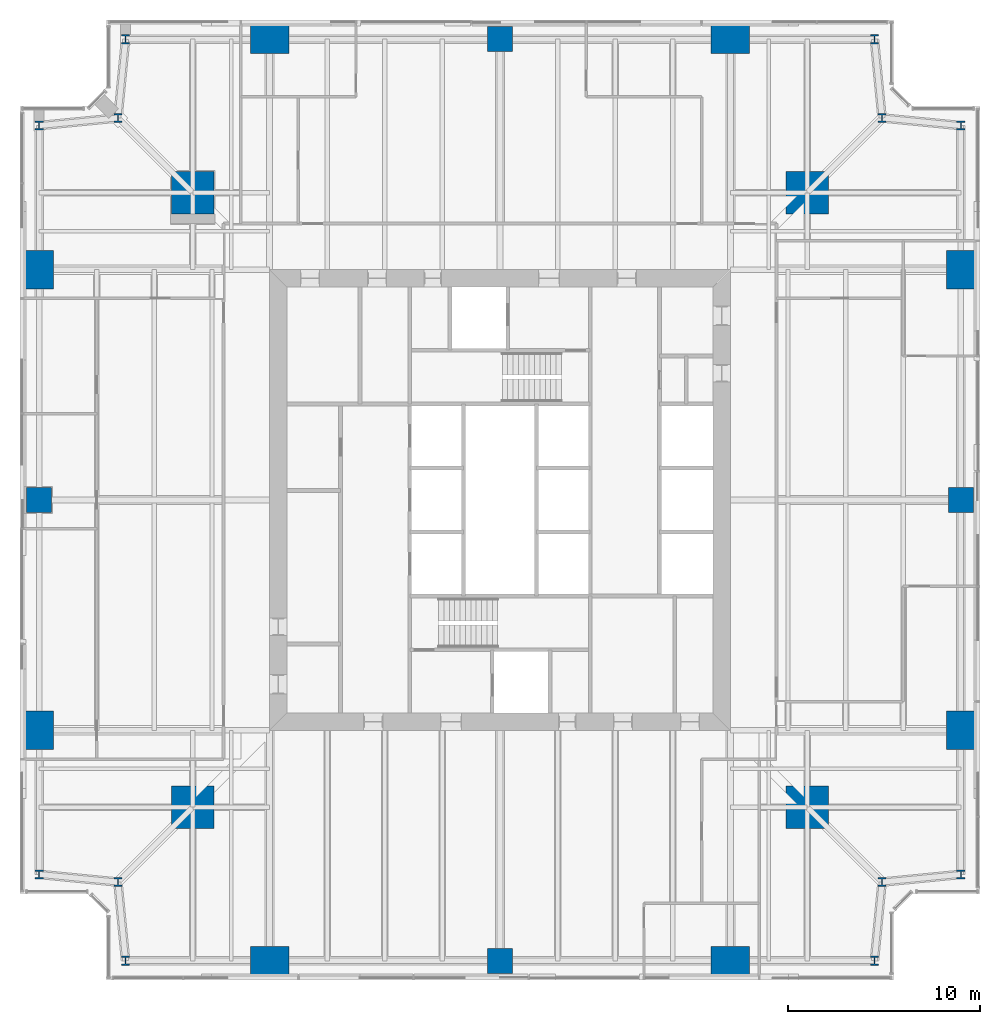
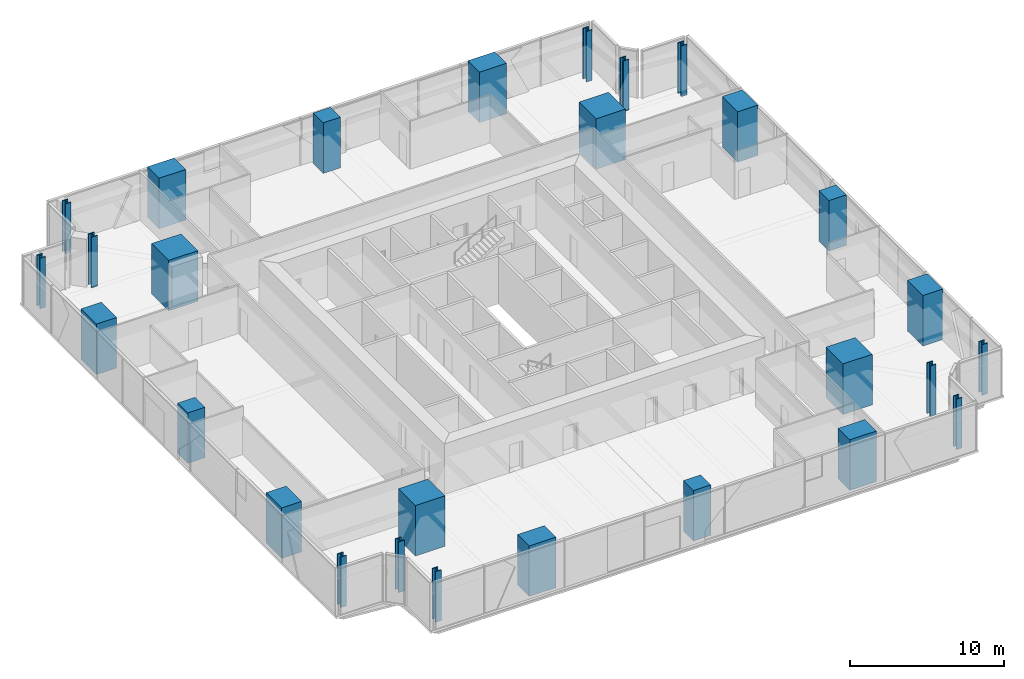
# One storey, part 1 of 13: 28 columns.
"""IFC4 building model written with IfcOpenShell, lengths in metres."""

from ifc_helpers import new_model, si_unit, direction, frame, origin, origin_2d, place, context, subcontext, project, spatial, rectangle, i_section, extrude, material, material_profile, profile_set, type_object, element, save


model = new_model("IFC4")

# Units and contexts
model_context = context("Model", 3, precision=1e-05, world=origin(), true_north=direction((0.0, 1.0)))
body_context = subcontext(model_context, "Body", "Model", "MODEL_VIEW")
ifc_project = project(units=[si_unit("LENGTHUNIT", "METRE"), si_unit("AREAUNIT", "SQUARE_METRE"), si_unit("VOLUMEUNIT", "CUBIC_METRE"), si_unit("PLANEANGLEUNIT", "RADIAN"), si_unit("MASSUNIT", "GRAM", prefix="KILO")], contexts=[model_context])

# Site, building, storey
site_placement = place(None, origin())
site = spatial("IfcSite", under=ifc_project, at=site_placement, CompositionType="ELEMENT")
building_placement = place(site_placement, origin())
building = spatial("IfcBuilding", under=site, at=building_placement, Name="Fenwick Lantern Interchange", CompositionType="ELEMENT")
storey_placement = place(building_placement, frame((0.0, 0.0, 158.39990234375)))
storey = spatial("IfcBuildingStorey", under=building, at=storey_placement, Name="L37", CompositionType="ELEMENT", Elevation=158.39990234375)

# Columns
ifc_material_1 = material(Name="Concrete f'c 70 MPa", Category="concrete")
ifc_material_profile_1 = material_profile(ifc_material_1, rectangle(XDim=2.199951171875, YDim=2.199951171875, at=origin_2d()), Name="RC2200X2200")
ifc_profile_set_1 = profile_set([ifc_material_profile_1], Name="Concrete f'c 70 MPa")
column_type_1 = type_object("IfcColumnType", Name="MEGA COLUMN RC2200X2200", PredefinedType="COLUMN", material=ifc_profile_set_1)
for number, where, z_axis, x_axis, name in (
    (1, (9.0, 9.0, 0.0), (0.0, 0.0, 1.0), (1.0, 0.0, 0.0), "L37/M1"),
    (2, (41.0, 9.0, 0.0), (0.0, 0.0, 1.0), (1.0, 0.0, 0.0), "L37/M2"),
    (3, (41.0, 41.0, 0.0), (0.0, 0.0, 1.0), (1.0, 0.0, 0.0), "L37/M3"),
    (4, (9.0, 41.0, 0.0), (0.0, 0.0, 1.0), (1.0, 0.0, 0.0), "L37/M4"),
):
    element("IfcColumn", number, at=place(storey_placement, frame(where, z_axis=z_axis, x_axis=x_axis)), inside=storey, type_object=column_type_1, Name=name, PredefinedType="COLUMN", context=body_context, shape_type="SweptSolid", body=[
        extrude(rectangle(XDim=2.199951171875, YDim=2.199951171875, at=origin_2d()), origin(), (0.0, 0.0, 1.0), 4.0),
    ])
ifc_material_profile_2 = material_profile(ifc_material_1, rectangle(XDim=1.300048828125, YDim=1.300048828125, at=origin_2d()), Name="RC1300X1300")
ifc_profile_set_2 = profile_set([ifc_material_profile_2], Name="Concrete f'c 70 MPa")
column_type_2 = type_object("IfcColumnType", Name="PERIMETER COLUMN RC1300X1300", PredefinedType="COLUMN", material=ifc_profile_set_2)
for number, where, z_axis, x_axis, name in (
    (5, (25.0, 1.0, 0.0), (0.0, 0.0, 1.0), (1.0, 0.0, 0.0), "L37/CS3"),
    (6, (49.0, 25.0, 0.0), (0.0, 0.0, 1.0), (1.0, 0.0, 0.0), "L37/CE3"),
    (7, (25.0, 49.0, 0.0), (0.0, 0.0, 1.0), (1.0, 0.0, 0.0), "L37/CN3"),
    (8, (1.0, 25.0, 0.0), (0.0, 0.0, 1.0), (1.0, 0.0, 0.0), "L37/CW3"),
):
    element("IfcColumn", number, at=place(storey_placement, frame(where, z_axis=z_axis, x_axis=x_axis)), inside=storey, type_object=column_type_2, Name=name, PredefinedType="COLUMN", context=body_context, shape_type="SweptSolid", body=[
        extrude(rectangle(XDim=1.300048828125, YDim=1.300048828125, at=origin_2d()), origin(), (0.0, 0.0, 1.0), 4.0),
    ])
ifc_material_profile_3 = material_profile(ifc_material_1, rectangle(XDim=1.5, YDim=2.0, at=origin_2d()), Name="RC1500X2000")
ifc_profile_set_3 = profile_set([ifc_material_profile_3], Name="Concrete f'c 70 MPa")
column_type_3 = type_object("IfcColumnType", Name="PERIMETER COLUMN RC1500X2000", PredefinedType="COLUMN", material=ifc_profile_set_3)
for number, where, z_axis, x_axis, name in (
    (9, (49.0, 13.0, 0.0), (0.0, 0.0, 1.0), (1.0, 0.0, 0.0), "L37/CE2"),
    (10, (49.0, 37.0, 0.0), (0.0, 0.0, 1.0), (1.0, 0.0, 0.0), "L37/CE4"),
    (11, (1.0, 37.0, 0.0), (0.0, 0.0, 1.0), (1.0, 0.0, 0.0), "L37/CW2"),
    (12, (1.0, 13.0, 0.0), (0.0, 0.0, 1.0), (1.0, 0.0, 0.0), "L37/CW4"),
):
    element("IfcColumn", number, at=place(storey_placement, frame(where, z_axis=z_axis, x_axis=x_axis)), inside=storey, type_object=column_type_3, Name=name, PredefinedType="COLUMN", context=body_context, shape_type="SweptSolid", body=[
        extrude(rectangle(XDim=1.5, YDim=2.0, at=origin_2d()), origin(), (0.0, 0.0, 1.0), 4.0),
    ])
ifc_material_profile_4 = material_profile(ifc_material_1, rectangle(XDim=2.0, YDim=1.5, at=origin_2d()), Name="RC2000X1500")
ifc_profile_set_4 = profile_set([ifc_material_profile_4], Name="Concrete f'c 70 MPa")
column_type_4 = type_object("IfcColumnType", Name="PERIMETER COLUMN RC2000X1500", PredefinedType="COLUMN", material=ifc_profile_set_4)
for number, where, z_axis, x_axis, name in (
    (13, (13.0, 1.0, 0.0), (0.0, 0.0, 1.0), (1.0, 0.0, 0.0), "L37/CS2"),
    (14, (37.0, 1.0, 0.0), (0.0, 0.0, 1.0), (1.0, 0.0, 0.0), "L37/CS4"),
    (15, (37.0, 49.0, 0.0), (0.0, 0.0, 1.0), (1.0, 0.0, 0.0), "L37/CN2"),
    (16, (13.0, 49.0, 0.0), (0.0, 0.0, 1.0), (1.0, 0.0, 0.0), "L37/CN4"),
):
    element("IfcColumn", number, at=place(storey_placement, frame(where, z_axis=z_axis, x_axis=x_axis)), inside=storey, type_object=column_type_4, Name=name, PredefinedType="COLUMN", context=body_context, shape_type="SweptSolid", body=[
        extrude(rectangle(XDim=2.0, YDim=1.5, at=origin_2d()), origin(), (0.0, 0.0, 1.0), 4.0),
    ])
ifc_material_2 = material(Name="Steel ASTM A992 Grade 50", Category="steel")
ifc_material_profile_5 = material_profile(ifc_material_2, i_section(OverallWidth=0.424072265625, OverallDepth=0.47509765625, WebThickness=0.0478515625, FlangeThickness=0.0771484375, at=origin_2d()), Name="W14X426")
ifc_profile_set_5 = profile_set([ifc_material_profile_5], Name="Steel ASTM A992 Grade 50")
column_type_5 = type_object("IfcColumnType", Name="PERIMETER COLUMN W14X426", PredefinedType="COLUMN", material=ifc_profile_set_5)
for number, where, z_axis, x_axis, name in (
    (17, (5.5, 1.0, 0.0), (0.0, 0.0, 1.0), (1.0, 0.0, 0.0), "L37/CS1"),
    (18, (44.5, 1.0, 0.0), (0.0, 0.0, 1.0), (1.0, 0.0, 0.0), "L37/CS5"),
    (19, (44.89990234375, 5.10009765625, 0.0), (0.0, 0.0, 1.0), (1.0, 0.0, 0.0), "L37/CSR"),
    (20, (49.0, 5.5, 0.0), (0.0, 0.0, 1.0), (1.0, 0.0, 0.0), "L37/CE1"),
    (21, (49.0, 44.5, 0.0), (0.0, 0.0, 1.0), (1.0, 0.0, 0.0), "L37/CE5"),
    (22, (44.89990234375, 44.89990234375, 0.0), (0.0, 0.0, 1.0), (1.0, 0.0, 0.0), "L37/CER"),
    (23, (44.5, 49.0, 0.0), (0.0, 0.0, 1.0), (1.0, 0.0, 0.0), "L37/CN1"),
    (24, (5.5, 49.0, 0.0), (0.0, 0.0, 1.0), (1.0, 0.0, 0.0), "L37/CN5"),
    (25, (5.10009765625, 44.89990234375, 0.0), (0.0, 0.0, 1.0), (1.0, 0.0, 0.0), "L37/CNR"),
    (26, (1.0, 44.5, 0.0), (0.0, 0.0, 1.0), (1.0, 0.0, 0.0), "L37/CW1"),
    (27, (1.0, 5.5, 0.0), (0.0, 0.0, 1.0), (1.0, 0.0, 0.0), "L37/CW5"),
    (28, (5.10009765625, 5.10009765625, 0.0), (0.0, 0.0, 1.0), (1.0, 0.0, 0.0), "L37/CWR"),
):
    element("IfcColumn", number, at=place(storey_placement, frame(where, z_axis=z_axis, x_axis=x_axis)), inside=storey, type_object=column_type_5, Name=name, PredefinedType="COLUMN", context=body_context, shape_type="SweptSolid", body=[
        extrude(i_section(OverallWidth=0.424072265625, OverallDepth=0.47509765625, WebThickness=0.0478515625, FlangeThickness=0.0771484375, at=origin_2d()), origin(), (0.0, 0.0, 1.0), 4.0),
    ])

save(model, "model.ifc")
